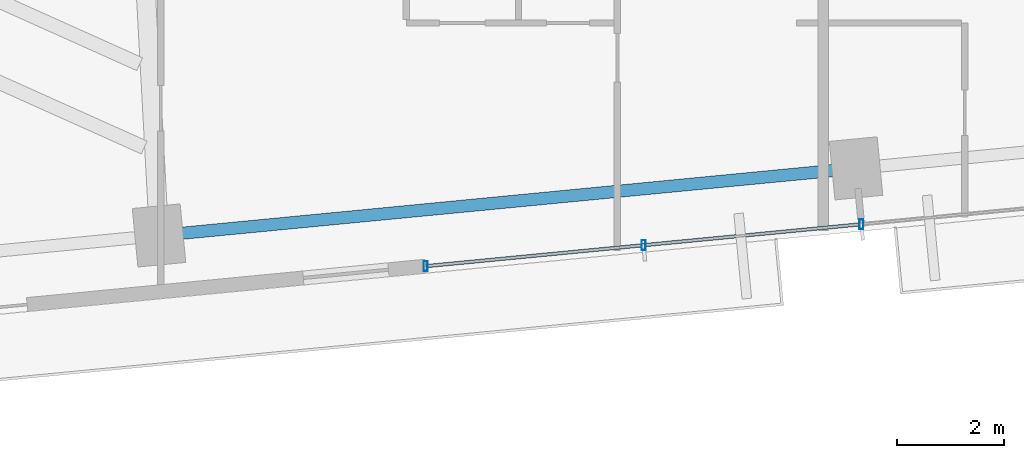
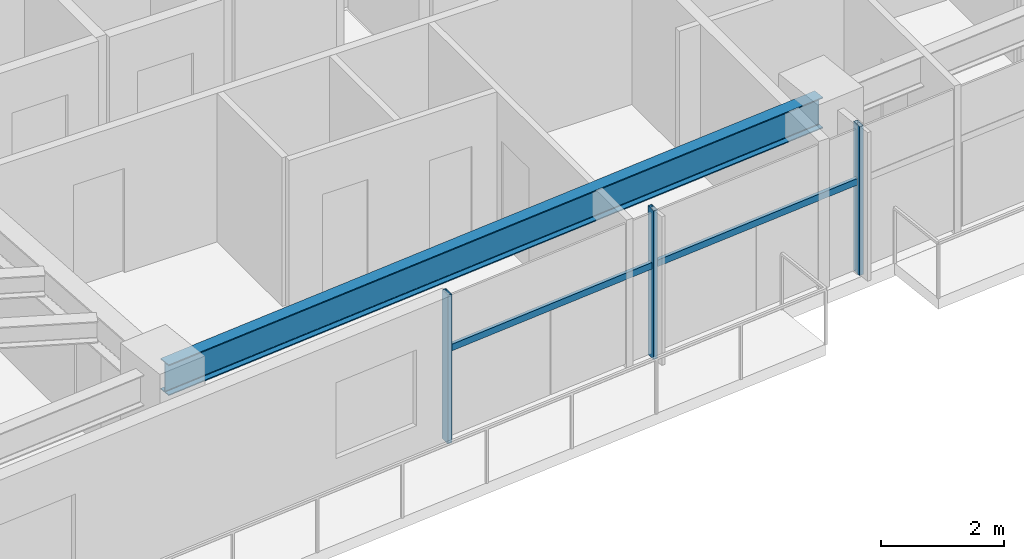
# One storey, part 6 of 27: 5 members, 1 beam, 1 element without a shape of its own.
"""IFC4 building model written with IfcOpenShell, lengths in metres."""

from ifc_helpers import new_model, si_unit, direction, frame, origin, origin_2d, place, context, subcontext, project, spatial, hollow_rectangle, i_section, extrude, source, transform, mapped, material, material_profile, profile_set, type_object, type_shapes, element, aggregate, save


model = new_model("IFC4")

# Units and contexts
model_context = context("Model", 3, precision=1e-05, world=origin(), true_north=direction((0.0, 1.0)))
body_context = subcontext(model_context, "Body", "Model", "MODEL_VIEW")
ifc_project = project(units=[si_unit("LENGTHUNIT", "METRE"), si_unit("AREAUNIT", "SQUARE_METRE"), si_unit("VOLUMEUNIT", "CUBIC_METRE"), si_unit("PLANEANGLEUNIT", "RADIAN"), si_unit("MASSUNIT", "GRAM", prefix="KILO")], contexts=[model_context])

# Site, building, storey
site_placement = place(None, origin())
site = spatial("IfcSite", under=ifc_project, at=site_placement, CompositionType="ELEMENT")
building_placement = place(site_placement, origin())
building = spatial("IfcBuilding", under=site, at=building_placement, Name="Astriad Promenade Condominiums", CompositionType="ELEMENT")
storey_placement = place(building_placement, frame((0.0, 0.0, 87.39990234375)))
storey = spatial("IfcBuildingStorey", under=building, at=storey_placement, Name="L24", CompositionType="ELEMENT", Elevation=87.39990234375)

# Beam
ifc_material_1 = material(Name="Steel ASTM A992 Grade 50", Category="steel")
ifc_material_profile_1 = material_profile(ifc_material_1, i_section(OverallWidth=0.22900390625, OverallDepth=0.612060546875, WebThickness=0.011962890625, FlangeThickness=0.01953125, FilletRadius=0.017822265625, at=origin_2d()), Name="W24X84")
ifc_profile_set_1 = profile_set([ifc_material_profile_1], Name="Steel ASTM A992 Grade 50")
beam_type = type_object("IfcBeamType", Name="STEEL SPANDREL BEAM W24X84", PredefinedType="SPANDREL", material=ifc_profile_set_1)
shared_shape_1 = source(origin(), body_context, "Body", "SweptSolid", [
    extrude(i_section(OverallWidth=0.22900390625, OverallDepth=0.612060546875, WebThickness=0.011962890625, FlangeThickness=0.01953125, FilletRadius=0.017822265625, at=origin_2d()), origin(), (0.0, 0.0, 1.0), 13.020263671875),
])
type_shapes(beam_type, [shared_shape_1])
beam_placement = place(storey_placement, frame((27.04541015625, 6.268798828125, 2.634033203125), z_axis=(0.995395311238, 0.095854965264, 0.0), x_axis=(-0.095854965264, 0.995395311238, 0.0)))
element("IfcBeam", 1, at=beam_placement, inside=storey, type_object=beam_type, Name="Perimeter Spandrel Beam SP-S2-L24", PredefinedType="SPANDREL", context=body_context, shape_type="MappedRepresentation", body=[
    mapped(shared_shape_1, transform((0.0, 0.0, 0.0), scale=1.0)),
])

# Curtain wall, members
ifc_material_2 = material(Name="Anodised aluminium Black Dark Glass Unitised", Category="aluminium")
curtain_wall_type = type_object("IfcCurtainWallType", Name="CW-B2-DARK", PredefinedType="USERDEFINED", material=ifc_material_2)
curtain_wall_placement = place(storey_placement, origin())
curtain_wall = element("IfcCurtainWall", 2, at=curtain_wall_placement, inside=storey, type_object=curtain_wall_type, Name="CW-L24-S", ObjectType="UNITISED_CURTAIN_WALL", PredefinedType="USERDEFINED")
ifc_material_3 = material(Name="Anodised aluminium 6063-T6 Black", Category="aluminium")
ifc_material_profile_2 = material_profile(ifc_material_3, hollow_rectangle(XDim=0.074951171875, YDim=0.18505859375, WallThickness=0.00439453125, at=origin_2d()), Name="ALU-MUL-75X185")
ifc_profile_set_2 = profile_set([ifc_material_profile_2], Name="Anodised aluminium 6063-T6 Black")
member_type_1 = type_object("IfcMemberType", Name="MUL-ALU-MUL-75X185", PredefinedType="MULLION", material=ifc_profile_set_2)
shared_shape_2 = source(origin(), body_context, "Body", "SweptSolid", [
    extrude(hollow_rectangle(XDim=0.074951171875, YDim=0.18505859375, WallThickness=0.00439453125, at=origin_2d()), origin(), (0.0, 0.0, 1.0), 2.940185546875),
])
type_shapes(member_type_1, [shared_shape_2])
member_1_placement = place(storey_placement, frame((40.14599609375, 6.475341796875, 0.0), z_axis=(0.0, 0.0, 1.0), x_axis=(1.0, 0.0, 0.0)))
member_1 = element("IfcMember", 3, at=member_1_placement, type_object=member_type_1, Name="CW-L24-S-MUL-02", PredefinedType="MULLION", context=body_context, shape_type="MappedRepresentation", body=[
    mapped(shared_shape_2, transform((0.0, 0.0, 0.0), scale=1.0)),
])
member_2_placement = place(storey_placement, frame((36.06982421875, 6.0830078125, 0.0), z_axis=(0.0, 0.0, 1.0), x_axis=(1.0, 0.0, 0.0)))
member_2 = element("IfcMember", 4, at=member_2_placement, type_object=member_type_1, Name="CW-L24-S-MUL-03", PredefinedType="MULLION", context=body_context, shape_type="MappedRepresentation", body=[
    mapped(shared_shape_2, transform((0.0, 0.0, 0.0), scale=1.0)),
])
member_3_placement = place(storey_placement, frame((31.99365234375, 5.6904296875, 0.0), z_axis=(0.0, 0.0, 1.0), x_axis=(1.0, 0.0, 0.0)))
member_3 = element("IfcMember", 5, at=member_3_placement, type_object=member_type_1, Name="CW-L24-S-MUL-04", PredefinedType="MULLION", context=body_context, shape_type="MappedRepresentation", body=[
    mapped(shared_shape_2, transform((0.0, 0.0, 0.0), scale=1.0)),
])
ifc_material_profile_3 = material_profile(ifc_material_3, hollow_rectangle(XDim=0.06494140625, YDim=0.1298828125, WallThickness=0.00390625, at=origin_2d()), Name="ALU-TRN-65X130")
ifc_profile_set_3 = profile_set([ifc_material_profile_3], Name="Anodised aluminium 6063-T6 Black")
member_type_2 = type_object("IfcMemberType", Name="TRN-ALU-TRN-65X130", PredefinedType="USERDEFINED", material=ifc_profile_set_3)
shared_shape_3 = source(origin(), body_context, "Body", "SweptSolid", [
    extrude(hollow_rectangle(XDim=0.06494140625, YDim=0.1298828125, WallThickness=0.00390625, at=origin_2d()), origin(), (0.0, 0.0, 1.0), 4.094970703125),
])
type_shapes(member_type_2, [shared_shape_3])
member_4_placement = place(storey_placement, frame((40.14599609375, 6.475341796875, 1.822998046875), z_axis=(-0.995399849002, -0.095807831657, 0.0), x_axis=(0.095807831657, -0.995399849002, 0.0)))
member_4 = element("IfcMember", 6, at=member_4_placement, type_object=member_type_2, Name="CW-L24-S-TRN-02-0", ObjectType="TRANSOM", PredefinedType="USERDEFINED", context=body_context, shape_type="MappedRepresentation", body=[
    mapped(shared_shape_3, transform((0.0, 0.0, 0.0), scale=1.0)),
])
member_5_placement = place(storey_placement, frame((36.06982421875, 6.0830078125, 1.822998046875), z_axis=(-0.995394161585, -0.09586690296, 0.0), x_axis=(0.09586690296, -0.995394161585, 0.0)))
member_5 = element("IfcMember", 7, at=member_5_placement, type_object=member_type_2, Name="CW-L24-S-TRN-03-0", ObjectType="TRANSOM", PredefinedType="USERDEFINED", context=body_context, shape_type="MappedRepresentation", body=[
    mapped(shared_shape_3, transform((0.0, 0.0, 0.0), scale=1.0)),
])
aggregate(curtain_wall, [member_1, member_2, member_3, member_4, member_5])

save(model, "model.ifc")
